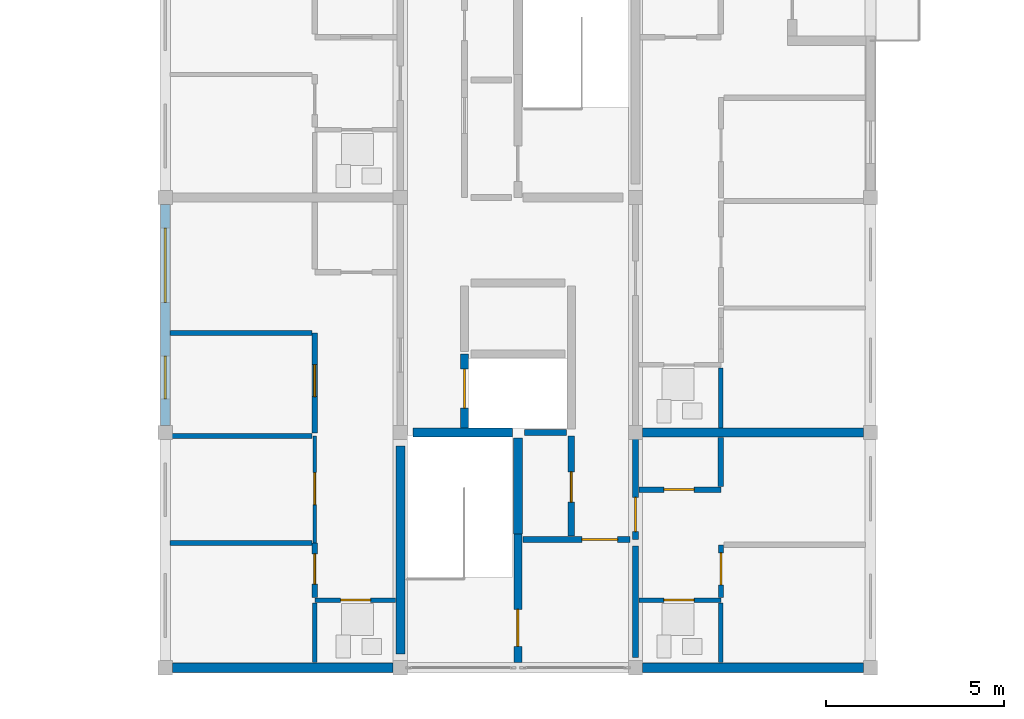
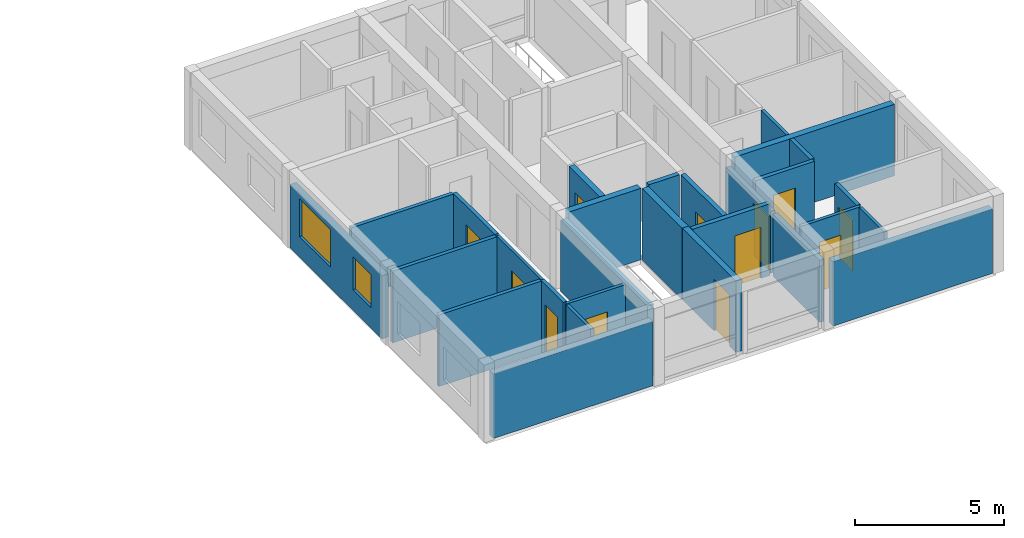
# One storey, part 18 of 34: 28 walls, 12 doors, 2 windows, 14 openings.
"""IFC4 building model written with IfcOpenShell, lengths in metres."""

import ifcopenshell
import ifcopenshell.guid

model = None  # the IFC model being written
_history = None  # IfcOwnerHistory: only IFC2X3 demands one
_inside = {}  # id of a spatial element -> (the spatial element, [elements in it])
_under = {}  # id of a project, library or spatial element -> (it, [spatial elements below it])
_declared = {}  # id of a project -> (the project, [libraries it declares])
_typed = {}  # id of a type object -> (the type object, [elements of that type])
_made_of = {}  # id of a material, layer set ... -> (it, [elements and type objects made of it])


def new_model(schema):
    """Start an empty IFC model of exactly this schema.

    Asked for "IFC4X3", IfcOpenShell would pick the latest addendum, in which some entities
    have other attributes; the version numbers below select the first issue.
    IFC2X3 requires an IfcOwnerHistory on every rooted entity: one is made here for all.
    """
    global model, _history
    if schema == "IFC4X3":
        model = ifcopenshell.file(schema_version=(4, 3, 0, 0))
    else:
        model = ifcopenshell.file(schema=schema)
    _inside.clear()
    _under.clear()
    _declared.clear()
    _typed.clear()
    _made_of.clear()
    _history = None
    if model.schema == "IFC2X3":
        org = make("IfcOrganization", Name="unknown")
        user = make(
            "IfcPersonAndOrganization",
            ThePerson=make("IfcPerson", FamilyName="unknown"),
            TheOrganization=org,
        )
        app = make(
            "IfcApplication",
            ApplicationDeveloper=org,
            Version="unknown",
            ApplicationFullName="unknown",
            ApplicationIdentifier="unknown",
        )
        _history = make(
            "IfcOwnerHistory",
            OwningUser=user,
            OwningApplication=app,
            ChangeAction="ADDED",
            CreationDate=0,
        )
    return model


def make(cls, **values):
    """One entity of the class cls with the attributes given. An attribute that is None is left unset."""
    return model.create_entity(
        cls, **{name: value for name, value in values.items() if value is not None}
    )


def rooted(cls, **values):
    """An entity with a GlobalId (a new one), such as an element, a storey or a relation."""
    return make(cls, GlobalId=ifcopenshell.guid.new(), OwnerHistory=_history, **values)


def si_unit(unit_type, name, prefix=None):
    """IfcSIUnit, for example si_unit("LENGTHUNIT", "METRE", prefix="MILLI")."""
    return make("IfcSIUnit", UnitType=unit_type, Prefix=prefix, Name=name)


def assignment(units):
    """IfcUnitAssignment: the units of a project."""
    return None if units is None else make("IfcUnitAssignment", Units=units)


def point(xyz):
    """IfcCartesianPoint."""
    return None if xyz is None else make("IfcCartesianPoint", Coordinates=xyz)


def direction(xyz):
    """IfcDirection."""
    return None if xyz is None else make("IfcDirection", DirectionRatios=xyz)


def frame(location, z_axis=None, x_axis=None):
    """IfcAxis2Placement3D, a coordinate frame: its origin and axes. An axis left out is left unset."""
    return make(
        "IfcAxis2Placement3D",
        Location=point(location),
        Axis=direction(z_axis),
        RefDirection=direction(x_axis),
    )


def frame_2d(location, x_axis=None):
    """IfcAxis2Placement2D, a coordinate frame in the plane: its origin and x axis."""
    return make(
        "IfcAxis2Placement2D", Location=point(location), RefDirection=direction(x_axis)
    )


def origin():
    """The frame at (0, 0, 0) with its axes left unset."""
    return frame((0.0, 0.0, 0.0))


def place(relative_to, where):
    """IfcLocalPlacement: puts the frame where relative to a parent placement (None: the world)."""
    return make(
        "IfcLocalPlacement", PlacementRelTo=relative_to, RelativePlacement=where
    )


def context(
    kind, dimensions, precision=None, world=None, true_north=None, identifier=None
):
    """IfcGeometricRepresentationContext, for example the 3D "Model" context."""
    return make(
        "IfcGeometricRepresentationContext",
        ContextIdentifier=identifier,
        ContextType=kind,
        CoordinateSpaceDimension=dimensions,
        Precision=precision,
        WorldCoordinateSystem=world,
        TrueNorth=true_north,
    )


def subcontext(parent, identifier, kind, view, scale=None):
    """IfcGeometricRepresentationSubContext, for example "Body" below "Model"."""
    return make(
        "IfcGeometricRepresentationSubContext",
        ContextIdentifier=identifier,
        ContextType=kind,
        ParentContext=parent,
        TargetScale=scale,
        TargetView=view,
    )


def project(units=None, contexts=None):
    """IfcProject with its units and contexts."""
    return rooted(
        "IfcProject",
        Name="project",
        RepresentationContexts=contexts,
        UnitsInContext=assignment(units),
    )


def spatial(cls, under=None, at=None, **own):
    """A site, building, storey or space (cls), placed at a placement, below another one or the project."""
    s = rooted(cls, ObjectPlacement=at, **own)
    if under is not None:
        _under.setdefault(under.id(), (under, []))[1].append(s)
    return s


def profile(cls, at=None, kind="AREA", **sizes):
    """A parametric profile (cls). Its sizes go by their IFC names, for example OverallWidth=200.0."""
    return make(cls, ProfileType=kind, Position=at, **sizes)


def rectangle(**sizes):
    """IfcRectangleProfileDef."""
    return profile("IfcRectangleProfileDef", **sizes)


def extrude(swept, where, along, depth):
    """IfcExtrudedAreaSolid: the profile swept, set in the frame where, extruded along a direction by depth."""
    return make(
        "IfcExtrudedAreaSolid",
        SweptArea=swept,
        Position=where,
        ExtrudedDirection=direction(along),
        Depth=depth,
    )


def shape(context_of_items, identifier, shape_type, items):
    """IfcShapeRepresentation: the items that make up one representation, for example the "Body"."""
    return make(
        "IfcShapeRepresentation",
        ContextOfItems=context_of_items,
        RepresentationIdentifier=identifier,
        RepresentationType=shape_type,
        Items=items,
    )


def material(Name=None, Category=None):
    """IfcMaterial."""
    return make("IfcMaterial", Name=Name, Category=Category)


def layer(
    of_material, thickness, ventilated=None, Name=None, Category=None, Priority=None
):
    """IfcMaterialLayer: one layer of a wall or slab, of a material (None: an air gap)."""
    return make(
        "IfcMaterialLayer",
        Material=of_material,
        LayerThickness=thickness,
        IsVentilated=ventilated,
        Name=Name,
        Category=Category,
        Priority=Priority,
    )


def layer_set(layers, Name=None):
    """IfcMaterialLayerSet."""
    return make("IfcMaterialLayerSet", MaterialLayers=layers, LayerSetName=Name)


def made_of(thing, what):
    """Note that an element or type object is made of a material, layer set ...; save() writes the relation."""
    if what is not None:
        _made_of.setdefault(what.id(), (what, []))[1].append(thing)
    return thing


def type_object(cls, material=None, **own):
    """A type object (cls), such as IfcWallType, which elements share."""
    return made_of(rooted(cls, **own), material)


def element(
    cls,
    number,
    at=None,
    inside=None,
    cuts=None,
    type_object=None,
    material=None,
    context=None,
    identifier="Body",
    shape_type=None,
    held_by="IfcProductDefinitionShape",
    body=None,
    shapes=None,
    **own,
):
    """One element of the class cls, such as IfcWall. Its Tag is "e" and its number.

    at: its placement. inside: the storey or other place that contains it. cuts: it is an
    opening in that element (IfcRelVoidsElement). A single representation is given by context,
    identifier, shape_type and body (its items); several are given by shapes. held_by: the class
    of the entity that holds the representations. save() writes the other relations.
    """
    e = rooted(cls, Tag="e%d" % number, ObjectPlacement=at, **own)
    if body is not None:
        shapes = [shape(context, identifier, shape_type, body)]
    if shapes is not None:
        e.Representation = make(held_by, Representations=shapes)
    if inside is not None:
        _inside.setdefault(inside.id(), (inside, []))[1].append(e)
    if cuts is not None:
        rooted(
            "IfcRelVoidsElement", RelatingBuildingElement=cuts, RelatedOpeningElement=e
        )
    if type_object is not None:
        _typed.setdefault(type_object.id(), (type_object, []))[1].append(e)
    return made_of(e, material)


def fill(opening, filler):
    """IfcRelFillsElement: the door or window that sits in an opening."""
    return rooted(
        "IfcRelFillsElement",
        RelatingOpeningElement=opening,
        RelatedBuildingElement=filler,
    )


def aggregate(whole, parts):
    """IfcRelAggregates: a whole, such as a stair, and the parts it consists of."""
    return rooted("IfcRelAggregates", RelatingObject=whole, RelatedObjects=parts)


def save(model, path):
    """Write the relations noted so far, then the file.

    IfcRelAggregates (storeys below a building ...), IfcRelContainedInSpatialStructure (elements
    in a storey), IfcRelDefinesByType, IfcRelAssociatesMaterial and IfcRelDeclares: one each for
    every whole, place, type object, material and project.
    """
    for whole, parts in _under.values():
        aggregate(whole, parts)
    for where, things in _inside.values():
        rooted(
            "IfcRelContainedInSpatialStructure",
            RelatedElements=things,
            RelatingStructure=where,
        )
    for kind, things in _typed.values():
        rooted("IfcRelDefinesByType", RelatedObjects=things, RelatingType=kind)
    for what, things in _made_of.values():
        rooted("IfcRelAssociatesMaterial", RelatedObjects=things, RelatingMaterial=what)
    for by, libraries in _declared.values():
        rooted("IfcRelDeclares", RelatingContext=by, RelatedDefinitions=libraries)
    model.write(path)


model = new_model("IFC4")

# Units and contexts
model_context = context("Model", 3, precision=1e-05, world=origin(), true_north=direction((0.0, 1.0)))
body_context = subcontext(model_context, "Body", "Model", "MODEL_VIEW")
ifc_project = project(units=[si_unit("LENGTHUNIT", "METRE"), si_unit("AREAUNIT", "SQUARE_METRE"), si_unit("VOLUMEUNIT", "CUBIC_METRE"), si_unit("PLANEANGLEUNIT", "RADIAN"), si_unit("MASSUNIT", "GRAM", prefix="KILO")], contexts=[model_context])

# Site, building, storey
site_placement = place(None, origin())
site = spatial("IfcSite", under=ifc_project, at=site_placement, CompositionType="ELEMENT")
building_placement = place(site_placement, origin())
building = spatial("IfcBuilding", under=site, at=building_placement, Name="Kernevlak Ridge Housing Community", CompositionType="ELEMENT")
storey_placement = place(building_placement, frame((0.0, 0.0, 40.39990234375)))
storey = spatial("IfcBuildingStorey", under=building, at=storey_placement, Name="L12", CompositionType="ELEMENT", Elevation=40.39990234375)

# Wall, openings, windows
ifc_material_1 = material(Name="Concrete block masonry M10", Category="masonry")
ifc_layer_1 = layer(ifc_material_1, 0.260009765625, Name="Concrete block masonry M10")
ifc_layer_set_1 = layer_set([ifc_layer_1], Name="Concrete block masonry M10")
wall_type_1 = type_object("IfcWallType", Name="EW-05", PredefinedType="STANDARD", material=ifc_layer_set_1)
wall_1_placement = place(storey_placement, frame((126.0, 22.39990234375, 0.0), z_axis=(0.0, 0.0, 1.0), x_axis=(0.0, 1.0, 0.0)))
wall_1 = element("IfcWall", 1, at=wall_1_placement, inside=storey, type_object=wall_type_1, Name="Exterior wall EW-05 L12 698", PredefinedType="STANDARD", context=body_context, shape_type="SweptSolid", body=[
    extrude(rectangle(XDim=6.2001953125, YDim=0.260009765625, at=frame_2d((3.10009765625, 0.0))), origin(), (0.0, 0.0, 1.0), 2.60009765625),
])
opening_1_placement = place(wall_1_placement, frame((0.75, 0.0, 0.85009765625)))
opening_1 = element("IfcOpeningElement", 2, at=opening_1_placement, cuts=wall_1, Name="Opening WT-01", PredefinedType="OPENING", context=body_context, shape_type="SweptSolid", body=[
    extrude(rectangle(XDim=1.199951171875, YDim=1.35009765625, at=frame_2d((0.60009765625, 0.675048828125))), frame((0.0, 0.139892578125, 0.0), z_axis=(0.0, -1.0, 0.0), x_axis=(1.0, 0.0, 0.0)), (0.0, 0.0, 1.0), 0.280029296875),
])
opening_2_placement = place(wall_1_placement, frame((3.449951171875, 0.0, 0.85009765625)))
opening_2 = element("IfcOpeningElement", 3, at=opening_2_placement, cuts=wall_1, Name="Opening WT-05", PredefinedType="OPENING", context=body_context, shape_type="SweptSolid", body=[
    extrude(rectangle(XDim=2.10009765625, YDim=1.550048828125, at=frame_2d((1.050048828125, 0.77490234375))), frame((0.0, 0.139892578125, 0.0), z_axis=(0.0, -1.0, 0.0), x_axis=(1.0, 0.0, 0.0)), (0.0, 0.0, 1.0), 0.280029296875),
])
ifc_material_2 = material(Name="Aluminium EN AW-6060 anodised and laminated glass", Category="aluminium")
window_type_1 = type_object("IfcWindowType", Name="WT-01", PartitioningType="SINGLE_PANEL", PredefinedType="WINDOW", material=ifc_material_2)
window_1_placement = place(opening_1_placement, origin())
window_1 = element("IfcWindow", 4, at=window_1_placement, inside=storey, type_object=window_type_1, Name="Window WT-01 L12 569", OverallHeight=1.35009765625, OverallWidth=1.199951171875, PartitioningType="SINGLE_PANEL", PredefinedType="WINDOW", context=body_context, shape_type="SweptSolid", body=[
    extrude(rectangle(XDim=1.199951171875, YDim=1.35009765625, at=frame_2d((0.60009765625, 0.675048828125))), frame((0.0, 0.030029296875, 0.0), z_axis=(0.0, -1.0, 0.0), x_axis=(1.0, 0.0, 0.0)), (0.0, 0.0, 1.0), 0.06005859375),
])
fill(opening_1, window_1)
window_type_2 = type_object("IfcWindowType", Name="WT-05", PartitioningType="SINGLE_PANEL", PredefinedType="WINDOW", material=ifc_material_2)
window_2_placement = place(opening_2_placement, origin())
window_2 = element("IfcWindow", 5, at=window_2_placement, inside=storey, type_object=window_type_2, Name="Window WT-05 L12 570", OverallHeight=1.550048828125, OverallWidth=2.10009765625, PartitioningType="SINGLE_PANEL", PredefinedType="WINDOW", context=body_context, shape_type="SweptSolid", body=[
    extrude(rectangle(XDim=2.10009765625, YDim=1.550048828125, at=frame_2d((1.050048828125, 0.77490234375))), frame((0.0, 0.030029296875, 0.0), z_axis=(0.0, -1.0, 0.0), x_axis=(1.0, 0.0, 0.0)), (0.0, 0.0, 1.0), 0.06005859375),
])
fill(opening_2, window_2)

# Walls
wall_2_placement = place(storey_placement, frame((126.199951171875, 15.60009765625, 0.0), z_axis=(0.0, 0.0, 1.0), x_axis=(1.0, 0.0, 0.0)))
element("IfcWall", 6, at=wall_2_placement, inside=storey, type_object=wall_type_1, Name="Exterior wall EW-05 L12 705", PredefinedType="STANDARD", context=body_context, shape_type="SweptSolid", body=[
    extrude(rectangle(XDim=6.199951171875, YDim=0.260009765625, at=frame_2d((3.10009765625, 0.0))), origin(), (0.0, 0.0, 1.0), 2.650146484375),
])
wall_3_placement = place(storey_placement, frame((139.39990234375, 15.60009765625, 0.0), z_axis=(0.0, 0.0, 1.0), x_axis=(1.0, 0.0, 0.0)))
element("IfcWall", 7, at=wall_3_placement, inside=storey, type_object=wall_type_1, Name="Exterior wall EW-05 L12 706", PredefinedType="STANDARD", context=body_context, shape_type="SweptSolid", body=[
    extrude(rectangle(XDim=6.2001953125, YDim=0.260009765625, at=frame_2d((3.10009765625, 0.0))), origin(), (0.0, 0.0, 1.0), 2.650146484375),
])

# Wall, opening, door
ifc_material_3 = material(Name="Concrete C35/45", Category="concrete")
ifc_layer_2 = layer(ifc_material_3, 0.22509765625, Name="Concrete C35/45")
ifc_layer_set_2 = layer_set([ifc_layer_2], Name="Concrete C35/45")
wall_type_2 = type_object("IfcWallType", Name="PW-01", PredefinedType="STANDARD", material=ifc_layer_set_2)
wall_4_placement = place(storey_placement, frame((135.89990234375, 15.75, 0.0), z_axis=(0.0, 0.0, 1.0), x_axis=(0.0, 1.0, 0.0)))
wall_4 = element("IfcWall", 8, at=wall_4_placement, inside=storey, type_object=wall_type_2, Name="Interior wall PW-01 WAL-INT-L12-2843", PredefinedType="STANDARD", context=body_context, shape_type="SweptSolid", body=[
    extrude(rectangle(XDim=3.60009765625, YDim=0.22509765625, at=frame_2d((1.800048828125, 0.0))), origin(), (0.0, 0.0, 1.0), 2.940185546875),
])
opening_3_placement = place(wall_4_placement, frame((0.449951171875, 0.0, 0.0)))
opening_3 = element("IfcOpeningElement", 9, at=opening_3_placement, cuts=wall_4, Name="Opening E444", PredefinedType="OPENING", context=body_context, shape_type="SweptSolid", body=[
    extrude(rectangle(XDim=1.0400390625, YDim=2.1201171875, at=frame_2d((0.52001953125, 1.06005859375))), frame((0.0, 0.12255859375, 0.0), z_axis=(0.0, -1.0, 0.0), x_axis=(1.0, 0.0, 0.0)), (0.0, 0.0, 1.0), 0.2451171875),
])
ifc_material_4 = material(Name="Fire-rated sheet steel leaf", Category="steel")
door_type_1 = type_object("IfcDoorType", Name="DT-16", OperationType="NOTDEFINED", PredefinedType="DOOR", material=ifc_material_4)
door_1_placement = place(opening_3_placement, origin())
door_1 = element("IfcDoor", 10, at=door_1_placement, inside=storey, type_object=door_type_1, Name="Block C Stair 1 fire door E444", OperationType="SINGLE_SWING_LEFT", OverallHeight=2.1201171875, OverallWidth=1.0400390625, PredefinedType="DOOR", context=body_context, shape_type="SweptSolid", body=[
    extrude(rectangle(XDim=1.0400390625, YDim=2.1201171875, at=frame_2d((0.52001953125, 1.06005859375))), frame((0.0, 0.02490234375, 0.0), z_axis=(0.0, -1.0, 0.0), x_axis=(1.0, 0.0, 0.0)), (0.0, 0.0, 1.0), 0.050048828125),
])
fill(opening_3, door_1)

wall_5_placement = place(storey_placement, frame((134.39990234375, 22.3349609375, 0.0), z_axis=(0.0, 0.0, 1.0), x_axis=(0.0, 1.0, 0.0)))
wall_5 = element("IfcWall", 11, at=wall_5_placement, inside=storey, type_object=wall_type_2, Name="Interior wall PW-01 WAL-INT-L12-2847", PredefinedType="STANDARD", context=body_context, shape_type="SweptSolid", body=[
    extrude(rectangle(XDim=2.06494140625, YDim=0.22509765625, at=frame_2d((1.032470703125, 0.0))), origin(), (0.0, 0.0, 1.0), 2.940185546875),
])
opening_4_placement = place(wall_5_placement, frame((0.550048828125, 0.0, 0.0)))
opening_4 = element("IfcOpeningElement", 12, at=opening_4_placement, cuts=wall_5, Name="Opening LD76", PredefinedType="OPENING", context=body_context, shape_type="SweptSolid", body=[
    extrude(rectangle(XDim=1.10009765625, YDim=2.10009765625, at=frame_2d((0.550048828125, 1.050048828125))), frame((0.0, 0.12255859375, 0.0), z_axis=(0.0, -1.0, 0.0), x_axis=(1.0, 0.0, 0.0)), (0.0, 0.0, 1.0), 0.2451171875),
])
ifc_material_5 = material(Name="Stainless steel EN 1.4401", Category="steel")
door_type_2 = type_object("IfcDoorType", Name="DT-LD1", OperationType="DOUBLE_DOOR_SLIDING", PredefinedType="DOOR", material=ifc_material_5)
door_2_placement = place(opening_4_placement, origin())
door_2 = element("IfcDoor", 13, at=door_2_placement, inside=storey, type_object=door_type_2, Name="Lift LF-C1 landing door LD76", OperationType="DOUBLE_DOOR_SLIDING", OverallHeight=2.10009765625, OverallWidth=1.10009765625, PredefinedType="DOOR", context=body_context, shape_type="SweptSolid", body=[
    extrude(rectangle(XDim=1.10009765625, YDim=2.10009765625, at=frame_2d((0.550048828125, 1.050048828125))), frame((0.0, 0.02490234375, 0.0), z_axis=(0.0, -1.0, 0.0), x_axis=(1.0, 0.0, 0.0)), (0.0, 0.0, 1.0), 0.050048828125),
])
fill(opening_4, door_2)

ifc_layer_3 = layer(ifc_material_1, 0.175048828125, Name="Concrete block masonry M10")
ifc_layer_set_3 = layer_set([ifc_layer_3], Name="Concrete block masonry M10")
wall_type_3 = type_object("IfcWallType", Name="PW-02", PredefinedType="PARTITIONING", material=ifc_layer_set_3)
wall_6_placement = place(storey_placement, frame((136.050048828125, 19.199951171875, 0.0), z_axis=(0.0, 0.0, 1.0), x_axis=(1.0, 0.0, 0.0)))
wall_6 = element("IfcWall", 14, at=wall_6_placement, inside=storey, type_object=wall_type_3, Name="Interior wall PW-02 WAL-INT-L12-2844", PredefinedType="PARTITIONING", context=body_context, shape_type="SweptSolid", body=[
    extrude(rectangle(XDim=3.0, YDim=0.175048828125, at=frame_2d((1.5, 0.0))), origin(), (0.0, 0.0, 1.0), 2.940185546875),
])
opening_5_placement = place(wall_6_placement, frame((1.64990234375, 0.0, 0.0)))
opening_5 = element("IfcOpeningElement", 15, at=opening_5_placement, cuts=wall_6, Name="Opening E445", PredefinedType="OPENING", context=body_context, shape_type="SweptSolid", body=[
    extrude(rectangle(XDim=1.0, YDim=2.10009765625, at=frame_2d((0.5, 1.050048828125))), frame((0.0, 0.097412109375, 0.0), z_axis=(0.0, -1.0, 0.0), x_axis=(1.0, 0.0, 0.0)), (0.0, 0.0, 1.0), 0.195068359375),
])
door_type_3 = type_object("IfcDoorType", Name="DT-05", OperationType="NOTDEFINED", PredefinedType="DOOR", material=ifc_material_4)
door_3_placement = place(opening_5_placement, origin())
door_3 = element("IfcDoor", 16, at=door_3_placement, inside=storey, type_object=door_type_3, Name="Block C Firefighting lobby 1 door E445", OperationType="SINGLE_SWING_RIGHT", OverallHeight=2.10009765625, OverallWidth=1.0, PredefinedType="DOOR", context=body_context, shape_type="SweptSolid", body=[
    extrude(rectangle(XDim=1.0, YDim=2.10009765625, at=frame_2d((0.5, 1.050048828125))), frame((0.0, 0.02490234375, 0.0), z_axis=(0.0, -1.0, 0.0), x_axis=(1.0, 0.0, 0.0)), (0.0, 0.0, 1.0), 0.050048828125),
])
fill(opening_5, door_3)

wall_7_placement = place(storey_placement, frame((137.39990234375, 19.300048828125, 0.0), z_axis=(0.0, 0.0, 1.0), x_axis=(0.0, 1.0, 0.0)))
wall_7 = element("IfcWall", 17, at=wall_7_placement, inside=storey, type_object=wall_type_3, Name="Interior wall PW-02 WAL-INT-L12-2845", PredefinedType="PARTITIONING", context=body_context, shape_type="SweptSolid", body=[
    extrude(rectangle(XDim=2.800048828125, YDim=0.175048828125, at=frame_2d((1.39990234375, 0.0))), origin(), (0.0, 0.0, 1.0), 2.940185546875),
])
opening_6_placement = place(wall_7_placement, frame((0.949951171875, 0.0, 0.0)))
opening_6 = element("IfcOpeningElement", 18, at=opening_6_placement, cuts=wall_7, Name="Opening E446", PredefinedType="OPENING", context=body_context, shape_type="SweptSolid", body=[
    extrude(rectangle(XDim=0.85009765625, YDim=2.0, at=frame_2d((0.425048828125, 1.0))), frame((0.0, 0.097412109375, 0.0), z_axis=(0.0, -1.0, 0.0), x_axis=(1.0, 0.0, 0.0)), (0.0, 0.0, 1.0), 0.195068359375),
])
door_type_4 = type_object("IfcDoorType", Name="DT-07", OperationType="NOTDEFINED", PredefinedType="DOOR", material=ifc_material_4)
door_4_placement = place(opening_6_placement, origin())
door_4 = element("IfcDoor", 19, at=door_4_placement, inside=storey, type_object=door_type_4, Name="Block C Riser shaft door E446", OperationType="SINGLE_SWING_LEFT", OverallHeight=2.0, OverallWidth=0.85009765625, PredefinedType="DOOR", context=body_context, shape_type="SweptSolid", body=[
    extrude(rectangle(XDim=0.85009765625, YDim=2.0, at=frame_2d((0.425048828125, 1.0))), frame((0.0, 0.02490234375, 0.0), z_axis=(0.0, -1.0, 0.0), x_axis=(1.0, 0.0, 0.0)), (0.0, 0.0, 1.0), 0.050048828125),
])
fill(opening_6, door_4)

# Walls
wall_8_placement = place(storey_placement, frame((136.080078125, 22.199951171875, 0.0), z_axis=(0.0, 0.0, 1.0), x_axis=(1.0, 0.0, 0.0)))
element("IfcWall", 20, at=wall_8_placement, inside=storey, type_object=wall_type_3, Name="Interior wall PW-02 WAL-INT-L12-2846", PredefinedType="PARTITIONING", context=body_context, shape_type="SweptSolid", body=[
    extrude(rectangle(XDim=1.18994140625, YDim=0.175048828125, at=frame_2d((0.594970703125, 0.0))), origin(), (0.0, 0.0, 1.0), 2.940185546875),
])
wall_9_placement = place(storey_placement, frame((139.199951171875, 15.8798828125, 0.0), z_axis=(0.0, 0.0, 1.0), x_axis=(0.0, 1.0, 0.0)))
element("IfcWall", 21, at=wall_9_placement, inside=storey, type_object=wall_type_3, Name="Interior wall PW-02 WAL-INT-L12-2877", PredefinedType="PARTITIONING", context=body_context, shape_type="SweptSolid", body=[
    extrude(rectangle(XDim=3.14013671875, YDim=0.175048828125, at=frame_2d((1.570068359375, 0.0))), origin(), (0.0, 0.0, 1.0), 2.550048828125),
])

# Wall, opening, door
wall_10_placement = place(storey_placement, frame((139.199951171875, 19.199951171875, 0.0), z_axis=(0.0, 0.0, 1.0), x_axis=(0.0, 1.0, 0.0)))
wall_10 = element("IfcWall", 22, at=wall_10_placement, inside=storey, type_object=wall_type_3, Name="Interior wall PW-02 WAL-INT-L12-2878", PredefinedType="PARTITIONING", context=body_context, shape_type="SweptSolid", body=[
    extrude(rectangle(XDim=3.0, YDim=0.175048828125, at=frame_2d((1.5, 0.0))), origin(), (0.0, 0.0, 1.0), 2.550048828125),
])
opening_7_placement = place(wall_10_placement, frame((0.219970703125, 0.0, 0.0)))
opening_7 = element("IfcOpeningElement", 23, at=opening_7_placement, cuts=wall_10, Name="Opening E460", PredefinedType="OPENING", context=body_context, shape_type="SweptSolid", body=[
    extrude(rectangle(XDim=0.9599609375, YDim=2.179931640625, at=frame_2d((0.47998046875, 1.08984375))), frame((0.0, 0.097412109375, 0.0), z_axis=(0.0, -1.0, 0.0), x_axis=(1.0, 0.0, 0.0)), (0.0, 0.0, 1.0), 0.195068359375),
])
ifc_material_6 = material(Name="Hardwood timber solid-core fire leaf", Category="wood")
door_type_5 = type_object("IfcDoorType", Name="DT-29", OperationType="NOTDEFINED", PredefinedType="DOOR", material=ifc_material_6)
door_5_placement = place(opening_7_placement, origin())
door_5 = element("IfcDoor", 24, at=door_5_placement, inside=storey, type_object=door_type_5, Name="Flat C1221 entrance fire door E460", OperationType="SINGLE_SWING_LEFT", OverallHeight=2.179931640625, OverallWidth=0.9599609375, PredefinedType="DOOR", context=body_context, shape_type="SweptSolid", body=[
    extrude(rectangle(XDim=0.9599609375, YDim=2.179931640625, at=frame_2d((0.47998046875, 1.08984375))), frame((0.0, 0.02490234375, 0.0), z_axis=(0.0, -1.0, 0.0), x_axis=(1.0, 0.0, 0.0)), (0.0, 0.0, 1.0), 0.050048828125),
])
fill(opening_7, door_5)

ifc_layer_4 = layer(ifc_material_1, 0.14501953125, Name="Concrete block masonry M10")
ifc_layer_set_4 = layer_set([ifc_layer_4], Name="Concrete block masonry M10")
wall_type_4 = type_object("IfcWallType", Name="PW-03", PredefinedType="PARTITIONING", material=ifc_layer_set_4)
wall_11_placement = place(storey_placement, frame((130.199951171875, 17.572509765625, 0.0), z_axis=(0.0, 0.0, 1.0), x_axis=(0.0, 1.0, 0.0)))
wall_11 = element("IfcWall", 25, at=wall_11_placement, inside=storey, type_object=wall_type_4, Name="Interior wall PW-03 WAL-INT-L12-2864", PredefinedType="PARTITIONING", context=body_context, shape_type="SweptSolid", body=[
    extrude(rectangle(XDim=1.527587890625, YDim=0.14501953125, at=frame_2d((0.763671875, 0.0))), origin(), (0.0, 0.0, 1.0), 2.940185546875),
])
opening_8_placement = place(wall_11_placement, frame((0.375, 0.0, 0.0)))
opening_8 = element("IfcOpeningElement", 26, at=opening_8_placement, cuts=wall_11, Name="Opening E453", PredefinedType="OPENING", context=body_context, shape_type="SweptSolid", body=[
    extrude(rectangle(XDim=0.85009765625, YDim=2.10009765625, at=frame_2d((0.425048828125, 1.050048828125))), frame((0.0, 0.08251953125, 0.0), z_axis=(0.0, -1.0, 0.0), x_axis=(1.0, 0.0, 0.0)), (0.0, 0.0, 1.0), 0.1650390625),
])
ifc_material_7 = material(Name="Hardwood timber leaf", Category="wood")
door_type_6 = type_object("IfcDoorType", Name="DT-03", OperationType="NOTDEFINED", PredefinedType="DOOR", material=ifc_material_7)
door_6_placement = place(opening_8_placement, origin())
door_6 = element("IfcDoor", 27, at=door_6_placement, inside=storey, type_object=door_type_6, Name="Flat C1211 bedroom door E453", OperationType="SINGLE_SWING_RIGHT", OverallHeight=2.10009765625, OverallWidth=0.85009765625, PredefinedType="DOOR", context=body_context, shape_type="SweptSolid", body=[
    extrude(rectangle(XDim=0.85009765625, YDim=2.10009765625, at=frame_2d((0.425048828125, 1.050048828125))), frame((0.0, 0.02490234375, 0.0), z_axis=(0.0, -1.0, 0.0), x_axis=(1.0, 0.0, 0.0)), (0.0, 0.0, 1.0), 0.050048828125),
])
fill(opening_8, door_6)

# Walls
wall_12_placement = place(storey_placement, frame((130.117431640625, 19.10009765625, 0.0), z_axis=(0.0, 0.0, 1.0), x_axis=(-1.0, 0.0, 0.0)))
element("IfcWall", 28, at=wall_12_placement, inside=storey, type_object=wall_type_4, Name="Interior wall PW-03 WAL-INT-L12-2865", PredefinedType="PARTITIONING", context=body_context, shape_type="SweptSolid", body=[
    extrude(rectangle(XDim=3.9775390625, YDim=0.14501953125, at=frame_2d((1.98876953125, 0.0))), origin(), (0.0, 0.0, 1.0), 2.940185546875),
])
wall_13_placement = place(storey_placement, frame((130.1201171875, 22.10009765625, 0.0), z_axis=(0.0, 0.0, 1.0), x_axis=(-1.0, 0.0, 0.0)))
element("IfcWall", 29, at=wall_13_placement, inside=storey, type_object=wall_type_4, Name="Interior wall PW-03 WAL-INT-L12-2867", PredefinedType="PARTITIONING", context=body_context, shape_type="SweptSolid", body=[
    extrude(rectangle(XDim=4.0400390625, YDim=0.14501953125, at=frame_2d((2.02001953125, 0.0))), origin(), (0.0, 0.0, 1.0), 2.940185546875),
])

# Wall, opening, door
wall_14_placement = place(storey_placement, frame((130.199951171875, 22.1826171875, 0.0), z_axis=(0.0, 0.0, 1.0), x_axis=(0.0, 1.0, 0.0)))
wall_14 = element("IfcWall", 30, at=wall_14_placement, inside=storey, type_object=wall_type_4, Name="Interior wall PW-03 WAL-INT-L12-2868", PredefinedType="PARTITIONING", context=body_context, shape_type="SweptSolid", body=[
    extrude(rectangle(XDim=2.8173828125, YDim=0.14501953125, at=frame_2d((1.40869140625, 0.0))), origin(), (0.0, 0.0, 1.0), 2.940185546875),
])
opening_9_placement = place(wall_14_placement, frame((1.02490234375, 0.0, 0.0)))
opening_9 = element("IfcOpeningElement", 31, at=opening_9_placement, cuts=wall_14, Name="Opening E455", PredefinedType="OPENING", context=body_context, shape_type="SweptSolid", body=[
    extrude(rectangle(XDim=0.89990234375, YDim=2.159912109375, at=frame_2d((0.449951171875, 1.080078125))), frame((0.0, 0.08251953125, 0.0), z_axis=(0.0, -1.0, 0.0), x_axis=(1.0, 0.0, 0.0)), (0.0, 0.0, 1.0), 0.1650390625),
])
door_type_7 = type_object("IfcDoorType", Name="DT-22", OperationType="NOTDEFINED", PredefinedType="DOOR", material=ifc_material_7)
door_7_placement = place(opening_9_placement, origin())
door_7 = element("IfcDoor", 32, at=door_7_placement, inside=storey, type_object=door_type_7, Name="Flat C1211 bedroom door E455", OperationType="SINGLE_SWING_RIGHT", OverallHeight=2.159912109375, OverallWidth=0.89990234375, PredefinedType="DOOR", context=body_context, shape_type="SweptSolid", body=[
    extrude(rectangle(XDim=0.89990234375, YDim=2.159912109375, at=frame_2d((0.449951171875, 1.080078125))), frame((0.0, 0.02490234375, 0.0), z_axis=(0.0, -1.0, 0.0), x_axis=(1.0, 0.0, 0.0)), (0.0, 0.0, 1.0), 0.050048828125),
])
fill(opening_9, door_7)

# Wall
wall_15_placement = place(storey_placement, frame((130.117431640625, 25.0, 0.0), z_axis=(0.0, 0.0, 1.0), x_axis=(-1.0, 0.0, 0.0)))
element("IfcWall", 33, at=wall_15_placement, inside=storey, type_object=wall_type_4, Name="Interior wall PW-03 WAL-INT-L12-2869", PredefinedType="PARTITIONING", context=body_context, shape_type="SweptSolid", body=[
    extrude(rectangle(XDim=3.9775390625, YDim=0.14501953125, at=frame_2d((1.98876953125, 0.0))), origin(), (0.0, 0.0, 1.0), 2.940185546875),
])

# Wall, opening, door
wall_16_placement = place(storey_placement, frame((141.60009765625, 17.572509765625, 0.0), z_axis=(0.0, 0.0, 1.0), x_axis=(0.0, 1.0, 0.0)))
wall_16 = element("IfcWall", 34, at=wall_16_placement, inside=storey, type_object=wall_type_4, Name="Interior wall PW-03 WAL-INT-L12-2883", PredefinedType="PARTITIONING", context=body_context, shape_type="SweptSolid", body=[
    extrude(rectangle(XDim=1.4775390625, YDim=0.14501953125, at=frame_2d((0.73876953125, 0.0))), origin(), (0.0, 0.0, 1.0), 2.940185546875),
])
opening_10_placement = place(wall_16_placement, frame((0.35009765625, 0.0, 0.0)))
opening_10 = element("IfcOpeningElement", 35, at=opening_10_placement, cuts=wall_16, Name="Opening E463", PredefinedType="OPENING", context=body_context, shape_type="SweptSolid", body=[
    extrude(rectangle(XDim=0.89990234375, YDim=2.10009765625, at=frame_2d((0.449951171875, 1.050048828125))), frame((0.0, 0.08251953125, 0.0), z_axis=(0.0, -1.0, 0.0), x_axis=(1.0, 0.0, 0.0)), (0.0, 0.0, 1.0), 0.1650390625),
])
door_type_8 = type_object("IfcDoorType", Name="DT-21", OperationType="NOTDEFINED", PredefinedType="DOOR", material=ifc_material_7)
door_8_placement = place(opening_10_placement, origin())
door_8 = element("IfcDoor", 36, at=door_8_placement, inside=storey, type_object=door_type_8, Name="Flat C1221 bedroom door E463", OperationType="SINGLE_SWING_RIGHT", OverallHeight=2.10009765625, OverallWidth=0.89990234375, PredefinedType="DOOR", context=body_context, shape_type="SweptSolid", body=[
    extrude(rectangle(XDim=0.89990234375, YDim=2.10009765625, at=frame_2d((0.449951171875, 1.050048828125))), frame((0.0, 0.02490234375, 0.0), z_axis=(0.0, -1.0, 0.0), x_axis=(1.0, 0.0, 0.0)), (0.0, 0.0, 1.0), 0.050048828125),
])
fill(opening_10, door_8)

ifc_material_8 = material(Name="Gypsum plasterboard EN 520", Category="gypsum")
ifc_layer_5 = layer(ifc_material_8, 0.125, Name="Gypsum plasterboard EN 520")
ifc_layer_set_5 = layer_set([ifc_layer_5], Name="Gypsum plasterboard EN 520")
wall_type_5 = type_object("IfcWallType", Name="PW-04", PredefinedType="PARTITIONING", material=ifc_layer_set_5)
wall_17_placement = place(storey_placement, frame((132.465087890625, 17.5, 0.0), z_axis=(0.0, 0.0, 1.0), x_axis=(-1.0, 0.0, 0.0)))
wall_17 = element("IfcWall", 37, at=wall_17_placement, inside=storey, type_object=wall_type_5, Name="Interior wall PW-04 WAL-INT-L12-2860", PredefinedType="PARTITIONING", context=body_context, shape_type="SweptSolid", body=[
    extrude(rectangle(XDim=2.26513671875, YDim=0.125, at=frame_2d((1.132568359375, 0.0))), origin(), (0.0, 0.0, 1.0), 2.940185546875),
])
opening_11_placement = place(wall_17_placement, frame((0.699951171875, 0.0, 0.0)))
opening_11 = element("IfcOpeningElement", 38, at=opening_11_placement, cuts=wall_17, Name="Opening E451", PredefinedType="OPENING", context=body_context, shape_type="SweptSolid", body=[
    extrude(rectangle(XDim=0.840087890625, YDim=2.06005859375, at=frame_2d((0.419921875, 1.030029296875))), frame((0.0, 0.072509765625, 0.0), z_axis=(0.0, -1.0, 0.0), x_axis=(1.0, 0.0, 0.0)), (0.0, 0.0, 1.0), 0.14501953125),
])
ifc_material_9 = material(Name="Hardwood timber moisture-resistant leaf", Category="wood")
door_type_9 = type_object("IfcDoorType", Name="DT-27", OperationType="NOTDEFINED", PredefinedType="DOOR", material=ifc_material_9)
door_9_placement = place(opening_11_placement, origin())
door_9 = element("IfcDoor", 39, at=door_9_placement, inside=storey, type_object=door_type_9, Name="Flat C1211 bathroom door E451", OperationType="SINGLE_SWING_RIGHT", OverallHeight=2.06005859375, OverallWidth=0.840087890625, PredefinedType="DOOR", context=body_context, shape_type="SweptSolid", body=[
    extrude(rectangle(XDim=0.840087890625, YDim=2.06005859375, at=frame_2d((0.419921875, 1.030029296875))), frame((0.0, 0.02490234375, 0.0), z_axis=(0.0, -1.0, 0.0), x_axis=(1.0, 0.0, 0.0)), (0.0, 0.0, 1.0), 0.050048828125),
])
fill(opening_11, door_9)

# Wall
wall_18_placement = place(storey_placement, frame((130.199951171875, 15.739990234375, 0.0), z_axis=(0.0, 0.0, 1.0), x_axis=(0.0, 1.0, 0.0)))
element("IfcWall", 40, at=wall_18_placement, inside=storey, type_object=wall_type_5, Name="Interior wall PW-04 WAL-INT-L12-2861", PredefinedType="PARTITIONING", context=body_context, shape_type="SweptSolid", body=[
    extrude(rectangle(XDim=1.679931640625, YDim=0.125, at=frame_2d((0.83984375, 0.0))), origin(), (0.0, 0.0, 1.0), 2.940185546875),
])

# Wall, opening, door
wall_19_placement = place(storey_placement, frame((139.297607421875, 17.5, 0.0), z_axis=(0.0, 0.0, 1.0), x_axis=(1.0, 0.0, 0.0)))
wall_19 = element("IfcWall", 41, at=wall_19_placement, inside=storey, type_object=wall_type_5, Name="Interior wall PW-04 WAL-INT-L12-2879", PredefinedType="PARTITIONING", context=body_context, shape_type="SweptSolid", body=[
    extrude(rectangle(XDim=2.302490234375, YDim=0.125, at=frame_2d((1.1513671875, 0.0))), origin(), (0.0, 0.0, 1.0), 2.940185546875),
])
opening_12_placement = place(wall_19_placement, frame((0.699951171875, 0.0, 0.0)))
opening_12 = element("IfcOpeningElement", 42, at=opening_12_placement, cuts=wall_19, Name="Opening E461", PredefinedType="OPENING", context=body_context, shape_type="SweptSolid", body=[
    extrude(rectangle(XDim=0.85009765625, YDim=2.0400390625, at=frame_2d((0.425048828125, 1.02001953125))), frame((0.0, 0.072509765625, 0.0), z_axis=(0.0, -1.0, 0.0), x_axis=(1.0, 0.0, 0.0)), (0.0, 0.0, 1.0), 0.14501953125),
])
door_type_10 = type_object("IfcDoorType", Name="DT-04", OperationType="NOTDEFINED", PredefinedType="DOOR", material=ifc_material_9)
door_10_placement = place(opening_12_placement, origin())
door_10 = element("IfcDoor", 43, at=door_10_placement, inside=storey, type_object=door_type_10, Name="Flat C1221 bathroom door E461", OperationType="SINGLE_SWING_RIGHT", OverallHeight=2.0400390625, OverallWidth=0.85009765625, PredefinedType="DOOR", context=body_context, shape_type="SweptSolid", body=[
    extrude(rectangle(XDim=0.85009765625, YDim=2.0400390625, at=frame_2d((0.425048828125, 1.02001953125))), frame((0.0, 0.02490234375, 0.0), z_axis=(0.0, -1.0, 0.0), x_axis=(1.0, 0.0, 0.0)), (0.0, 0.0, 1.0), 0.050048828125),
])
fill(opening_12, door_10)

# Walls
wall_20_placement = place(storey_placement, frame((141.60009765625, 15.739990234375, 0.0), z_axis=(0.0, 0.0, 1.0), x_axis=(0.0, 1.0, 0.0)))
element("IfcWall", 44, at=wall_20_placement, inside=storey, type_object=wall_type_5, Name="Interior wall PW-04 WAL-INT-L12-2880", PredefinedType="PARTITIONING", context=body_context, shape_type="SweptSolid", body=[
    extrude(rectangle(XDim=1.679931640625, YDim=0.125, at=frame_2d((0.83984375, 0.0))), origin(), (0.0, 0.0, 1.0), 2.940185546875),
])
wall_21_placement = place(storey_placement, frame((141.60009765625, 22.3349609375, 0.0), z_axis=(0.0, 0.0, 1.0), x_axis=(0.0, 1.0, 0.0)))
element("IfcWall", 45, at=wall_21_placement, inside=storey, type_object=wall_type_5, Name="Interior wall PW-04 WAL-INT-L12-2887", PredefinedType="PARTITIONING", context=body_context, shape_type="SweptSolid", body=[
    extrude(rectangle(XDim=1.68505859375, YDim=0.125, at=frame_2d((0.842529296875, 0.0))), origin(), (0.0, 0.0, 1.0), 2.940185546875),
])

# Wall, opening, door
ifc_layer_6 = layer(ifc_material_8, 0.155029296875, Name="Gypsum plasterboard EN 520")
ifc_layer_set_6 = layer_set([ifc_layer_6], Name="Gypsum plasterboard EN 520")
wall_type_6 = type_object("IfcWallType", Name="PW-05", PredefinedType="PARTITIONING", material=ifc_layer_set_6)
wall_22_placement = place(storey_placement, frame((139.297607421875, 20.60009765625, 0.0), z_axis=(0.0, 0.0, 1.0), x_axis=(1.0, 0.0, 0.0)))
wall_22 = element("IfcWall", 46, at=wall_22_placement, inside=storey, type_object=wall_type_6, Name="Interior wall PW-05 WAL-INT-L12-2881", PredefinedType="PARTITIONING", context=body_context, shape_type="SweptSolid", body=[
    extrude(rectangle(XDim=2.302490234375, YDim=0.155029296875, at=frame_2d((1.1513671875, 0.0))), origin(), (0.0, 0.0, 1.0), 2.940185546875),
])
opening_13_placement = place(wall_22_placement, frame((0.699951171875, 0.0, 0.0)))
opening_13 = element("IfcOpeningElement", 47, at=opening_13_placement, cuts=wall_22, Name="Opening E462", PredefinedType="OPENING", context=body_context, shape_type="SweptSolid", body=[
    extrude(rectangle(XDim=0.85009765625, YDim=2.10009765625, at=frame_2d((0.425048828125, 1.050048828125))), frame((0.0, 0.08740234375, 0.0), z_axis=(0.0, -1.0, 0.0), x_axis=(1.0, 0.0, 0.0)), (0.0, 0.0, 1.0), 0.175048828125),
])
door_11_placement = place(opening_13_placement, origin())
door_11 = element("IfcDoor", 48, at=door_11_placement, inside=storey, type_object=door_type_6, Name="Flat C1221 kitchen door E462", OperationType="SINGLE_SWING_LEFT", OverallHeight=2.10009765625, OverallWidth=0.85009765625, PredefinedType="DOOR", context=body_context, shape_type="SweptSolid", body=[
    extrude(rectangle(XDim=0.85009765625, YDim=2.10009765625, at=frame_2d((0.425048828125, 1.050048828125))), frame((0.0, 0.02490234375, 0.0), z_axis=(0.0, -1.0, 0.0), x_axis=(1.0, 0.0, 0.0)), (0.0, 0.0, 1.0), 0.050048828125),
])
fill(opening_13, door_11)

# Wall
wall_23_placement = place(storey_placement, frame((141.60009765625, 20.6875, 0.0), z_axis=(0.0, 0.0, 1.0), x_axis=(0.0, 1.0, 0.0)))
element("IfcWall", 49, at=wall_23_placement, inside=storey, type_object=wall_type_6, Name="Interior wall PW-05 WAL-INT-L12-2882", PredefinedType="PARTITIONING", context=body_context, shape_type="SweptSolid", body=[
    extrude(rectangle(XDim=1.37744140625, YDim=0.155029296875, at=frame_2d((0.688720703125, 0.0))), origin(), (0.0, 0.0, 1.0), 2.940185546875),
])

# Wall, opening, door
ifc_layer_7 = layer(ifc_material_8, 0.10498046875, Name="Gypsum plasterboard EN 520")
ifc_layer_set_7 = layer_set([ifc_layer_7], Name="Gypsum plasterboard EN 520")
wall_type_7 = type_object("IfcWallType", Name="PW-06", PredefinedType="PARTITIONING", material=ifc_layer_set_7)
wall_24_placement = place(storey_placement, frame((130.199951171875, 19.10009765625, 0.0), z_axis=(0.0, 0.0, 1.0), x_axis=(0.0, 1.0, 0.0)))
wall_24 = element("IfcWall", 50, at=wall_24_placement, inside=storey, type_object=wall_type_7, Name="Interior wall PW-06 WAL-INT-L12-2866", PredefinedType="PARTITIONING", context=body_context, shape_type="SweptSolid", body=[
    extrude(rectangle(XDim=3.0, YDim=0.10498046875, at=frame_2d((1.5, 0.0))), origin(), (0.0, 0.0, 1.0), 2.940185546875),
])
opening_14_placement = place(wall_24_placement, frame((1.074951171875, 0.0, 0.0)))
opening_14 = element("IfcOpeningElement", 51, at=opening_14_placement, cuts=wall_24, Name="Opening E454", PredefinedType="OPENING", context=body_context, shape_type="SweptSolid", body=[
    extrude(rectangle(XDim=0.89990234375, YDim=2.10009765625, at=frame_2d((0.449951171875, 1.050048828125))), frame((0.0, 0.0625, 0.0), z_axis=(0.0, -1.0, 0.0), x_axis=(1.0, 0.0, 0.0)), (0.0, 0.0, 1.0), 0.125),
])
door_12_placement = place(opening_14_placement, origin())
door_12 = element("IfcDoor", 52, at=door_12_placement, inside=storey, type_object=door_type_8, Name="Flat C1211 bedroom door E454", OperationType="SINGLE_SWING_LEFT", OverallHeight=2.10009765625, OverallWidth=0.89990234375, PredefinedType="DOOR", context=body_context, shape_type="SweptSolid", body=[
    extrude(rectangle(XDim=0.89990234375, YDim=2.10009765625, at=frame_2d((0.449951171875, 1.050048828125))), frame((0.0, 0.02490234375, 0.0), z_axis=(0.0, -1.0, 0.0), x_axis=(1.0, 0.0, 0.0)), (0.0, 0.0, 1.0), 0.050048828125),
])
fill(opening_14, door_12)

# Walls
ifc_material_10 = material(Name="Concrete C40/50", Category="concrete")
ifc_layer_8 = layer(ifc_material_10, 0.25, Name="Concrete C40/50")
ifc_layer_set_8 = layer_set([ifc_layer_8], Name="Concrete C40/50")
wall_type_8 = type_object("IfcWallType", Name="SW-03", PredefinedType="SHEAR", material=ifc_layer_set_8)
wall_25_placement = place(storey_placement, frame((132.60009765625, 15.97998046875, 0.0), z_axis=(0.0, 0.0, 1.0), x_axis=(0.0, 1.0, 0.0)))
element("IfcWall", 53, at=wall_25_placement, inside=storey, type_object=wall_type_8, Name="Shear wall SW-03 Block C L12 489", PredefinedType="SHEAR", context=body_context, shape_type="SweptSolid", body=[
    extrude(rectangle(XDim=5.840087890625, YDim=0.25, at=frame_2d((2.919921875, 0.0))), origin(), (0.0, 0.0, 1.0), 2.940185546875),
])
wall_26_placement = place(storey_placement, frame((135.89990234375, 19.35009765625, 0.0), z_axis=(0.0, 0.0, 1.0), x_axis=(0.0, 1.0, 0.0)))
element("IfcWall", 54, at=wall_26_placement, inside=storey, type_object=wall_type_8, Name="Shear wall SW-03 Block C L12 490", PredefinedType="SHEAR", context=body_context, shape_type="SweptSolid", body=[
    extrude(rectangle(XDim=2.699951171875, YDim=0.25, at=frame_2d((1.35009765625, 0.0))), origin(), (0.0, 0.0, 1.0), 2.940185546875),
])
wall_27_placement = place(storey_placement, frame((132.949951171875, 22.199951171875, 0.0), z_axis=(0.0, 0.0, 1.0), x_axis=(1.0, 0.0, 0.0)))
element("IfcWall", 55, at=wall_27_placement, inside=storey, type_object=wall_type_8, Name="Shear wall SW-03 Block C L12 491", PredefinedType="SHEAR", context=body_context, shape_type="SweptSolid", body=[
    extrude(rectangle(XDim=2.800048828125, YDim=0.25, at=frame_2d((1.39990234375, 0.0))), origin(), (0.0, 0.0, 1.0), 2.940185546875),
])
wall_28_placement = place(storey_placement, frame((139.39990234375, 22.199951171875, 0.0), z_axis=(0.0, 0.0, 1.0), x_axis=(1.0, 0.0, 0.0)))
element("IfcWall", 56, at=wall_28_placement, inside=storey, type_object=wall_type_8, Name="Shear wall SW-03 Block C L12 496", PredefinedType="SHEAR", context=body_context, shape_type="SweptSolid", body=[
    extrude(rectangle(XDim=6.2001953125, YDim=0.25, at=frame_2d((3.10009765625, 0.0))), origin(), (0.0, 0.0, 1.0), 2.940185546875),
])

save(model, "model.ifc")
